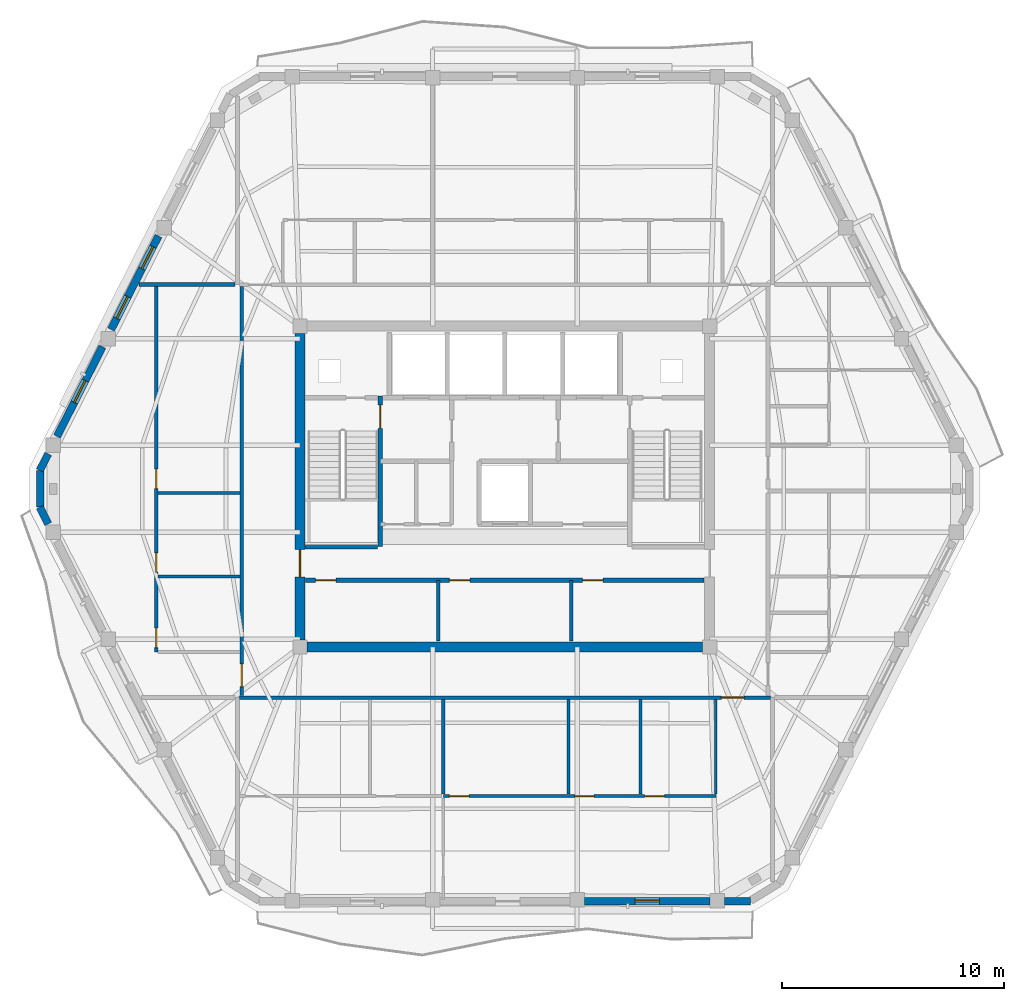
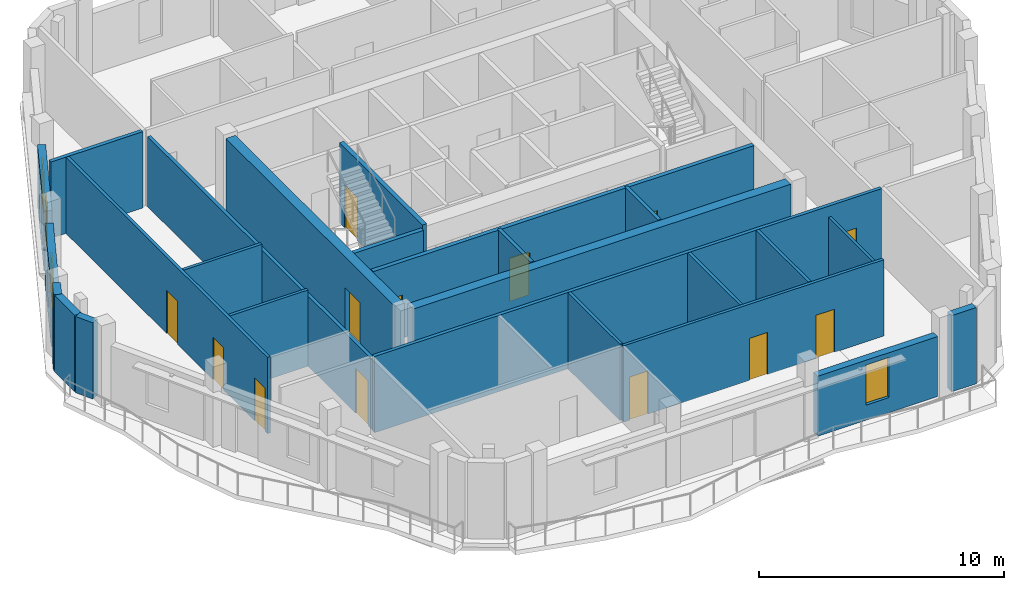
# One storey, part 4 of 10: 25 walls, 13 doors, 4 windows, 17 openings.
"""IFC4 building model written with IfcOpenShell, lengths in metres."""

from ifc_helpers import new_model, si_unit, direction, frame, frame_2d, origin, place, context, subcontext, project, spatial, rectangle, extrude, material, layer, layer_set, type_object, element, fill, save


model = new_model("IFC4")

# Units and contexts
model_context = context("Model", 3, precision=1e-05, world=origin(), true_north=direction((0.0, 1.0)))
body_context = subcontext(model_context, "Body", "Model", "MODEL_VIEW")
ifc_project = project(units=[si_unit("LENGTHUNIT", "METRE"), si_unit("AREAUNIT", "SQUARE_METRE"), si_unit("VOLUMEUNIT", "CUBIC_METRE"), si_unit("PLANEANGLEUNIT", "RADIAN"), si_unit("MASSUNIT", "GRAM", prefix="KILO")], contexts=[model_context])

# Site, building, storey
site_placement = place(None, origin())
site = spatial("IfcSite", under=ifc_project, at=site_placement, CompositionType="ELEMENT")
building_placement = place(site_placement, origin())
building = spatial("IfcBuilding", under=site, at=building_placement, Name="Cinnabar Lancet Tower", CompositionType="ELEMENT")
storey_placement = place(building_placement, frame((0.0, 0.0, 287.5)))
storey = spatial("IfcBuildingStorey", under=building, at=storey_placement, Name="L76", CompositionType="ELEMENT", Elevation=287.5)

# Walls
ifc_material_1 = material(Name="Acoustic twin-stud gypsum partition", Category="gypsum")
ifc_layer_1 = layer(ifc_material_1, 0.159912109375)
ifc_layer_set_1 = layer_set([ifc_layer_1], Name="Acoustic twin-stud gypsum partition")
wall_type_1 = type_object("IfcWallType", Name="ARC-WL-CORR-160", PredefinedType="PARTITIONING", material=ifc_layer_set_1)
for number, where, z_axis, x_axis, name in (
    (1, (29.39990234375, 18.949951171875, 0.0), (0.0, 0.0, 1.0), (0.0, 1.0, 0.0), "CW-SB-2940-L76"),
    (2, (35.39990234375, 18.949951171875, 0.0), (0.0, 0.0, 1.0), (0.0, 1.0, 0.0), "CW-SB-3540-L76"),
):
    element("IfcWall", number, at=place(storey_placement, frame(where, z_axis=z_axis, x_axis=x_axis)), inside=storey, type_object=wall_type_1, Name=name, PredefinedType="PARTITIONING", context=body_context, shape_type="SweptSolid", body=[
        extrude(rectangle(XDim=2.72998046875, YDim=0.159912109375, at=frame_2d((1.364990234375, 0.0))), origin(), (0.0, 0.0, 1.0), 3.800048828125),
    ])

# Wall, opening, door
wall_1_placement = place(storey_placement, frame((20.445068359375, 16.39990234375, 0.0), z_axis=(0.0, 0.0, 1.0), x_axis=(1.0, 0.0, 0.0)))
wall_1 = element("IfcWall", 3, at=wall_1_placement, inside=storey, type_object=wall_type_1, Name="L76 Unit S01 Corridor Wall", PredefinedType="PARTITIONING", context=body_context, shape_type="SweptSolid", body=[
    extrude(rectangle(XDim=23.909912109375, YDim=0.159912109375, at=frame_2d((11.955078125, 0.0))), origin(), (0.0, 0.0, 1.0), 3.800048828125),
])
opening_1_placement = place(wall_1_placement, frame((21.705078125, 0.0, 0.0)))
opening_1 = element("IfcOpeningElement", 4, at=opening_1_placement, cuts=wall_1, Name="Opening UD-01", PredefinedType="OPENING", context=body_context, shape_type="SweptSolid", body=[
    extrude(rectangle(XDim=1.02001953125, YDim=2.25, at=frame_2d((0.510009765625, 1.125))), frame((0.0, 0.08984375, 0.0), z_axis=(0.0, -1.0, 0.0), x_axis=(1.0, 0.0, 0.0)), (0.0, 0.0, 1.0), 0.179931640625),
])
ifc_material_2 = material(Name="Solid timber fire-rated apartment entrance door", Category="wood")
door_type_1 = type_object("IfcDoorType", Name="ARC-DR-UNIT", OperationType="NOTDEFINED", PredefinedType="DOOR", material=ifc_material_2)
door_1_placement = place(opening_1_placement, origin())
door_1 = element("IfcDoor", 5, at=door_1_placement, inside=storey, type_object=door_type_1, Name="DR-L76-S01-ENT", OperationType="SINGLE_SWING_RIGHT", OverallHeight=2.25, OverallWidth=1.02001953125, PredefinedType="DOOR", context=body_context, shape_type="SweptSolid", body=[
    extrude(rectangle(XDim=1.02001953125, YDim=2.25, at=frame_2d((0.510009765625, 1.125))), frame((0.0, 0.02490234375, 0.0), z_axis=(0.0, -1.0, 0.0), x_axis=(1.0, 0.0, 0.0)), (0.0, 0.0, 1.0), 0.050048828125),
])
fill(opening_1, door_1)

wall_2_placement = place(storey_placement, frame((20.550048828125, 16.4951171875, 0.0), z_axis=(0.0, 0.0, 1.0), x_axis=(0.0, 1.0, 0.0)))
wall_2 = element("IfcWall", 6, at=wall_2_placement, inside=storey, type_object=wall_type_1, Name="UW-L76-W01-COR", PredefinedType="PARTITIONING", context=body_context, shape_type="SweptSolid", body=[
    extrude(rectangle(XDim=18.409912109375, YDim=0.159912109375, at=frame_2d((9.205078125, 0.0))), origin(), (0.0, 0.0, 1.0), 3.487060546875),
])
opening_2_placement = place(wall_2_placement, frame((0.39990234375, 0.0, 0.0)))
opening_2 = element("IfcOpeningElement", 7, at=opening_2_placement, cuts=wall_2, Name="Opening UD-01", PredefinedType="OPENING", context=body_context, shape_type="SweptSolid", body=[
    extrude(rectangle(XDim=1.02001953125, YDim=2.25, at=frame_2d((0.510009765625, 1.125))), frame((0.0, 0.08984375, 0.0), z_axis=(0.0, -1.0, 0.0), x_axis=(1.0, 0.0, 0.0)), (0.0, 0.0, 1.0), 0.179931640625),
])
door_2_placement = place(opening_2_placement, origin())
door_2 = element("IfcDoor", 8, at=door_2_placement, inside=storey, type_object=door_type_1, Name="DR-L76-W01-ENT", OperationType="SINGLE_SWING_RIGHT", OverallHeight=2.25, OverallWidth=1.02001953125, PredefinedType="DOOR", context=body_context, shape_type="SweptSolid", body=[
    extrude(rectangle(XDim=1.02001953125, YDim=2.25, at=frame_2d((0.510009765625, 1.125))), frame((0.0, 0.02490234375, 0.0), z_axis=(0.0, -1.0, 0.0), x_axis=(1.0, 0.0, 0.0)), (0.0, 0.0, 1.0), 0.050048828125),
])
fill(opening_2, door_2)

# Walls
ifc_material_3 = material(Name="Fire-rated twin-frame acoustic drywall", Category="gypsum")
ifc_layer_2 = layer(ifc_material_3, 0.179931640625)
ifc_layer_set_2 = layer_set([ifc_layer_2], Name="Fire-rated twin-frame acoustic drywall")
wall_type_2 = type_object("IfcWallType", Name="ARC-WL-PARTY-180", PredefinedType="PARTITIONING", material=ifc_layer_set_2)
wall_3_placement = place(storey_placement, frame((15.93310546875, 35.0, 0.0), z_axis=(0.0, 0.0, 1.0), x_axis=(1.0, 0.0, 0.0)))
element("IfcWall", 9, at=wall_3_placement, inside=storey, type_object=wall_type_2, Name="PW-L76-WNB", PredefinedType="PARTITIONING", context=body_context, shape_type="SweptSolid", body=[
    extrude(rectangle(XDim=4.32177734375, YDim=0.179931640625, at=frame_2d((2.160888671875, 0.0))), origin(), (0.0, 0.0, 1.0), 3.800048828125),
])
ifc_material_4 = material(Name="Autoclaved aerated concrete blockwork", Category="masonry")
ifc_layer_3 = layer(ifc_material_4, 0.199951171875)
ifc_layer_set_3 = layer_set([ifc_layer_3], Name="Autoclaved aerated concrete blockwork")
wall_type_3 = type_object("IfcWallType", Name="ARC-WL-SHAFT-200", PredefinedType="PLUMBINGWALL", material=ifc_layer_set_3)
wall_4_placement = place(storey_placement, frame((23.405029296875, 23.199951171875, 0.0), z_axis=(0.0, 0.0, 1.0), x_axis=(1.0, 0.0, 0.0)))
element("IfcWall", 10, at=wall_4_placement, inside=storey, type_object=wall_type_3, Name="CW-ST1S-L76", PredefinedType="PLUMBINGWALL", context=body_context, shape_type="SweptSolid", body=[
    extrude(rectangle(XDim=3.27001953125, YDim=0.199951171875, at=frame_2d((1.635009765625, 0.0))), origin(), (0.0, 0.0, 1.0), 3.800048828125),
])

# Wall, openings, doors
wall_5_placement = place(storey_placement, frame((23.419921875, 21.679931640625, 0.0), z_axis=(0.0, 0.0, 1.0), x_axis=(1.0, 0.0, 0.0)))
wall_5 = element("IfcWall", 11, at=wall_5_placement, inside=storey, type_object=wall_type_3, Name="CW-SBANDN-L76", PredefinedType="PLUMBINGWALL", context=body_context, shape_type="SweptSolid", body=[
    extrude(rectangle(XDim=17.9599609375, YDim=0.199951171875, at=frame_2d((8.97998046875, 0.0))), origin(), (0.0, 0.0, 1.0), 3.800048828125),
])
opening_3_placement = place(wall_5_placement, frame((0.4599609375, 0.0, 0.0)))
opening_3 = element("IfcOpeningElement", 12, at=opening_3_placement, cuts=wall_5, Name="Opening RD-01", PredefinedType="OPENING", context=body_context, shape_type="SweptSolid", body=[
    extrude(rectangle(XDim=0.919921875, YDim=2.14990234375, at=frame_2d((0.4599609375, 1.074951171875))), frame((0.0, 0.10986328125, 0.0), z_axis=(0.0, -1.0, 0.0), x_axis=(1.0, 0.0, 0.0)), (0.0, 0.0, 1.0), 0.219970703125),
])
opening_4_placement = place(wall_5_placement, frame((6.47998046875, 0.0, 0.0)))
opening_4 = element("IfcOpeningElement", 13, at=opening_4_placement, cuts=wall_5, Name="Opening RD-01", PredefinedType="OPENING", context=body_context, shape_type="SweptSolid", body=[
    extrude(rectangle(XDim=0.919921875, YDim=2.14990234375, at=frame_2d((0.4599609375, 1.074951171875))), frame((0.0, 0.10986328125, 0.0), z_axis=(0.0, -1.0, 0.0), x_axis=(1.0, 0.0, 0.0)), (0.0, 0.0, 1.0), 0.219970703125),
])
opening_5_placement = place(wall_5_placement, frame((12.47998046875, 0.0, 0.0)))
opening_5 = element("IfcOpeningElement", 14, at=opening_5_placement, cuts=wall_5, Name="Opening RD-01", PredefinedType="OPENING", context=body_context, shape_type="SweptSolid", body=[
    extrude(rectangle(XDim=0.919921875, YDim=2.14990234375, at=frame_2d((0.4599609375, 1.074951171875))), frame((0.0, 0.10986328125, 0.0), z_axis=(0.0, -1.0, 0.0), x_axis=(1.0, 0.0, 0.0)), (0.0, 0.0, 1.0), 0.219970703125),
])
ifc_material_5 = material(Name="Engineered timber bedroom door", Category="wood")
door_type_2 = type_object("IfcDoorType", Name="ARC-DR-ROOM", OperationType="NOTDEFINED", PredefinedType="DOOR", material=ifc_material_5)
door_3_placement = place(opening_3_placement, origin())
door_3 = element("IfcDoor", 15, at=door_3_placement, inside=storey, type_object=door_type_2, Name="DR-L76-HREC1", OperationType="SINGLE_SWING_LEFT", OverallHeight=2.14990234375, OverallWidth=0.919921875, PredefinedType="DOOR", context=body_context, shape_type="SweptSolid", body=[
    extrude(rectangle(XDim=0.919921875, YDim=2.14990234375, at=frame_2d((0.4599609375, 1.074951171875))), frame((0.0, 0.02490234375, 0.0), z_axis=(0.0, -1.0, 0.0), x_axis=(1.0, 0.0, 0.0)), (0.0, 0.0, 1.0), 0.050048828125),
])
fill(opening_3, door_3)
door_4_placement = place(opening_4_placement, origin())
door_4 = element("IfcDoor", 16, at=door_4_placement, inside=storey, type_object=door_type_2, Name="DR-L76-HREC2", OperationType="SINGLE_SWING_RIGHT", OverallHeight=2.14990234375, OverallWidth=0.919921875, PredefinedType="DOOR", context=body_context, shape_type="SweptSolid", body=[
    extrude(rectangle(XDim=0.919921875, YDim=2.14990234375, at=frame_2d((0.4599609375, 1.074951171875))), frame((0.0, 0.02490234375, 0.0), z_axis=(0.0, -1.0, 0.0), x_axis=(1.0, 0.0, 0.0)), (0.0, 0.0, 1.0), 0.050048828125),
])
fill(opening_4, door_4)
door_5_placement = place(opening_5_placement, origin())
door_5 = element("IfcDoor", 17, at=door_5_placement, inside=storey, type_object=door_type_2, Name="DR-L76-HREC3", OperationType="SINGLE_SWING_LEFT", OverallHeight=2.14990234375, OverallWidth=0.919921875, PredefinedType="DOOR", context=body_context, shape_type="SweptSolid", body=[
    extrude(rectangle(XDim=0.919921875, YDim=2.14990234375, at=frame_2d((0.4599609375, 1.074951171875))), frame((0.0, 0.02490234375, 0.0), z_axis=(0.0, -1.0, 0.0), x_axis=(1.0, 0.0, 0.0)), (0.0, 0.0, 1.0), 0.050048828125),
])
fill(opening_5, door_5)

# Wall
ifc_material_6 = material(Name="Gypsum plasterboard stud partition", Category="gypsum")
ifc_layer_4 = layer(ifc_material_6, 0.125)
ifc_layer_set_4 = layer_set([ifc_layer_4], Name="Gypsum plasterboard stud partition")
wall_type_4 = type_object("IfcWallType", Name="ARC-WL-UNIT-125", PredefinedType="PARTITIONING", material=ifc_layer_set_4)
wall_6_placement = place(storey_placement, frame((41.89990234375, 12.06689453125, 0.0), z_axis=(0.0, 0.0, 1.0), x_axis=(0.0, 1.0, 0.0)))
element("IfcWall", 18, at=wall_6_placement, inside=storey, type_object=wall_type_4, Name="UW-L76-S01-FOYW", PredefinedType="PARTITIONING", context=body_context, shape_type="SweptSolid", body=[
    extrude(rectangle(XDim=4.248046875, YDim=0.125, at=frame_2d((2.1240234375, 0.0))), origin(), (0.0, 0.0, 1.0), 3.257080078125),
])

# Wall, openings, doors
ifc_material_7 = material(Name="Moisture-resistant cement-board plumbing wall", Category="masonry")
ifc_layer_5 = layer(ifc_material_7, 0.139892578125)
ifc_layer_set_5 = layer_set([ifc_layer_5], Name="Moisture-resistant cement-board plumbing wall")
wall_type_5 = type_object("IfcWallType", Name="ARC-WL-WET-140", PredefinedType="PLUMBINGWALL", material=ifc_layer_set_5)
wall_7_placement = place(storey_placement, frame((29.6259765625, 11.9619140625, 0.0), z_axis=(0.0, 0.0, 1.0), x_axis=(1.0, 0.0, 0.0)))
wall_7 = element("IfcWall", 19, at=wall_7_placement, inside=storey, type_object=wall_type_5, Name="UW-L76-S01-SPL", PredefinedType="PLUMBINGWALL", context=body_context, shape_type="SweptSolid", body=[
    extrude(rectangle(XDim=12.27392578125, YDim=0.139892578125, at=frame_2d((6.136962890625, 0.0))), origin(), (0.0, 0.0, 1.0), 3.800048828125),
])
opening_6_placement = place(wall_7_placement, frame((0.280029296875, 0.0, 0.0)))
opening_6 = element("IfcOpeningElement", 20, at=opening_6_placement, cuts=wall_7, Name="Opening RD-02", PredefinedType="OPENING", context=body_context, shape_type="SweptSolid", body=[
    extrude(rectangle(XDim=0.8798828125, YDim=2.14990234375, at=frame_2d((0.43994140625, 1.074951171875))), frame((0.0, 0.079833984375, 0.0), z_axis=(0.0, -1.0, 0.0), x_axis=(1.0, 0.0, 0.0)), (0.0, 0.0, 1.0), 0.159912109375),
])
opening_7_placement = place(wall_7_placement, frame((5.927978515625, 0.0, 0.0)))
opening_7 = element("IfcOpeningElement", 21, at=opening_7_placement, cuts=wall_7, Name="Opening BD-01", PredefinedType="OPENING", context=body_context, shape_type="SweptSolid", body=[
    extrude(rectangle(XDim=0.860107421875, YDim=2.10009765625, at=frame_2d((0.43017578125, 1.050048828125))), frame((0.0, 0.079833984375, 0.0), z_axis=(0.0, -1.0, 0.0), x_axis=(1.0, 0.0, 0.0)), (0.0, 0.0, 1.0), 0.159912109375),
])
opening_8_placement = place(wall_7_placement, frame((9.073974609375, 0.0, 0.0)))
opening_8 = element("IfcOpeningElement", 22, at=opening_8_placement, cuts=wall_7, Name="Opening RD-02", PredefinedType="OPENING", context=body_context, shape_type="SweptSolid", body=[
    extrude(rectangle(XDim=0.8798828125, YDim=2.14990234375, at=frame_2d((0.43994140625, 1.074951171875))), frame((0.0, 0.079833984375, 0.0), z_axis=(0.0, -1.0, 0.0), x_axis=(1.0, 0.0, 0.0)), (0.0, 0.0, 1.0), 0.159912109375),
])
ifc_material_8 = material(Name="Moisture-resistant timber bathroom door", Category="wood")
door_type_3 = type_object("IfcDoorType", Name="ARC-DR-BATH", OperationType="NOTDEFINED", PredefinedType="DOOR", material=ifc_material_8)
door_6_placement = place(opening_7_placement, origin())
door_6 = element("IfcDoor", 23, at=door_6_placement, inside=storey, type_object=door_type_3, Name="DR-L76-S01-BTH", OperationType="SINGLE_SWING_RIGHT", OverallHeight=2.10009765625, OverallWidth=0.860107421875, PredefinedType="DOOR", context=body_context, shape_type="SweptSolid", body=[
    extrude(rectangle(XDim=0.860107421875, YDim=2.10009765625, at=frame_2d((0.43017578125, 1.050048828125))), frame((0.0, 0.02490234375, 0.0), z_axis=(0.0, -1.0, 0.0), x_axis=(1.0, 0.0, 0.0)), (0.0, 0.0, 1.0), 0.050048828125),
])
fill(opening_7, door_6)
ifc_material_9 = material(Name="Engineered timber study door", Category="wood")
door_type_4 = type_object("IfcDoorType", Name="ARC-DR-STUDY", OperationType="NOTDEFINED", PredefinedType="DOOR", material=ifc_material_9)
door_7_placement = place(opening_6_placement, origin())
door_7 = element("IfcDoor", 24, at=door_7_placement, inside=storey, type_object=door_type_4, Name="DR-L76-S01-BTH-WDR", OperationType="SINGLE_SWING_LEFT", OverallHeight=2.14990234375, OverallWidth=0.8798828125, PredefinedType="DOOR", context=body_context, shape_type="SweptSolid", body=[
    extrude(rectangle(XDim=0.8798828125, YDim=2.14990234375, at=frame_2d((0.43994140625, 1.074951171875))), frame((0.0, 0.02490234375, 0.0), z_axis=(0.0, -1.0, 0.0), x_axis=(1.0, 0.0, 0.0)), (0.0, 0.0, 1.0), 0.050048828125),
])
fill(opening_6, door_7)
door_8_placement = place(opening_8_placement, origin())
door_8 = element("IfcDoor", 25, at=door_8_placement, inside=storey, type_object=door_type_4, Name="DR-L76-S01-KIT", OperationType="SINGLE_SWING_RIGHT", OverallHeight=2.14990234375, OverallWidth=0.8798828125, PredefinedType="DOOR", context=body_context, shape_type="SweptSolid", body=[
    extrude(rectangle(XDim=0.8798828125, YDim=2.14990234375, at=frame_2d((0.43994140625, 1.074951171875))), frame((0.0, 0.02490234375, 0.0), z_axis=(0.0, -1.0, 0.0), x_axis=(1.0, 0.0, 0.0)), (0.0, 0.0, 1.0), 0.050048828125),
])
fill(opening_8, door_8)

# Walls
for number, where, z_axis, x_axis, name in (
    (26, (38.5, 12.06689453125, 0.0), (0.0, 0.0, 1.0), (0.0, 1.0, 0.0), "UW-L76-S01-KBD"),
    (27, (29.6259765625, 12.06689453125, 0.0), (0.0, 0.0, 1.0), (0.0, 1.0, 0.0), "UW-L76-S01-ENSW"),
):
    element("IfcWall", number, at=place(storey_placement, frame(where, z_axis=z_axis, x_axis=x_axis)), inside=storey, type_object=wall_type_5, Name=name, PredefinedType="PLUMBINGWALL", context=body_context, shape_type="SweptSolid", body=[
        extrude(rectangle(XDim=4.248046875, YDim=0.139892578125, at=frame_2d((2.1240234375, 0.0))), origin(), (0.0, 0.0, 1.0), 3.800048828125),
    ])
wall_8_placement = place(storey_placement, frame((35.27392578125, 12.047119140625, 0.0), z_axis=(0.0, 0.0, 1.0), x_axis=(0.0, 1.0, 0.0)))
element("IfcWall", 28, at=wall_8_placement, inside=storey, type_object=wall_type_5, Name="UW-L76-S01-BTH-WDV", PredefinedType="PLUMBINGWALL", context=body_context, shape_type="SweptSolid", body=[
    extrude(rectangle(XDim=4.267822265625, YDim=0.139892578125, at=frame_2d((2.1337890625, 0.0))), origin(), (0.0, 0.0, 1.0), 3.800048828125),
])

# Wall, openings, doors
wall_9_placement = place(storey_placement, frame((16.699951171875, 18.449951171875, 0.0), z_axis=(0.0, 0.0, 1.0), x_axis=(0.0, 1.0, 0.0)))
wall_9 = element("IfcWall", 29, at=wall_9_placement, inside=storey, type_object=wall_type_5, Name="UW-L76-W01-SPL", PredefinedType="PLUMBINGWALL", context=body_context, shape_type="SweptSolid", body=[
    extrude(rectangle(XDim=16.455078125, YDim=0.139892578125, at=frame_2d((8.2275390625, 0.0))), origin(), (0.0, 0.0, 1.0), 3.800048828125),
])
opening_9_placement = place(wall_9_placement, frame((3.60009765625, 0.0, 0.0)))
opening_9 = element("IfcOpeningElement", 30, at=opening_9_placement, cuts=wall_9, Name="Opening BD-01", PredefinedType="OPENING", context=body_context, shape_type="SweptSolid", body=[
    extrude(rectangle(XDim=0.860107421875, YDim=2.10009765625, at=frame_2d((0.43017578125, 1.050048828125))), frame((0.0, 0.079833984375, 0.0), z_axis=(0.0, -1.0, 0.0), x_axis=(1.0, 0.0, 0.0)), (0.0, 0.0, 1.0), 0.159912109375),
])
opening_10_placement = place(wall_9_placement, frame((7.360107421875, 0.0, 0.0)))
opening_10 = element("IfcOpeningElement", 31, at=opening_10_placement, cuts=wall_9, Name="Opening RD-02", PredefinedType="OPENING", context=body_context, shape_type="SweptSolid", body=[
    extrude(rectangle(XDim=0.8798828125, YDim=2.14990234375, at=frame_2d((0.43994140625, 1.074951171875))), frame((0.0, 0.079833984375, 0.0), z_axis=(0.0, -1.0, 0.0), x_axis=(1.0, 0.0, 0.0)), (0.0, 0.0, 1.0), 0.159912109375),
])
opening_11_placement = place(wall_9_placement, frame((0.199951171875, 0.0, 0.0)))
opening_11 = element("IfcOpeningElement", 32, at=opening_11_placement, cuts=wall_9, Name="Opening RD-02", PredefinedType="OPENING", context=body_context, shape_type="SweptSolid", body=[
    extrude(rectangle(XDim=0.8798828125, YDim=2.14990234375, at=frame_2d((0.43994140625, 1.074951171875))), frame((0.0, 0.079833984375, 0.0), z_axis=(0.0, -1.0, 0.0), x_axis=(1.0, 0.0, 0.0)), (0.0, 0.0, 1.0), 0.159912109375),
])
door_9_placement = place(opening_9_placement, origin())
door_9 = element("IfcDoor", 33, at=door_9_placement, inside=storey, type_object=door_type_3, Name="DR-L76-W01-BTH", OperationType="SINGLE_SWING_RIGHT", OverallHeight=2.10009765625, OverallWidth=0.860107421875, PredefinedType="DOOR", context=body_context, shape_type="SweptSolid", body=[
    extrude(rectangle(XDim=0.860107421875, YDim=2.10009765625, at=frame_2d((0.43017578125, 1.050048828125))), frame((0.0, 0.02490234375, 0.0), z_axis=(0.0, -1.0, 0.0), x_axis=(1.0, 0.0, 0.0)), (0.0, 0.0, 1.0), 0.050048828125),
])
fill(opening_9, door_9)
door_10_placement = place(opening_10_placement, origin())
door_10 = element("IfcDoor", 34, at=door_10_placement, inside=storey, type_object=door_type_4, Name="DR-L76-W01-WDR", OperationType="SINGLE_SWING_LEFT", OverallHeight=2.14990234375, OverallWidth=0.8798828125, PredefinedType="DOOR", context=body_context, shape_type="SweptSolid", body=[
    extrude(rectangle(XDim=0.8798828125, YDim=2.14990234375, at=frame_2d((0.43994140625, 1.074951171875))), frame((0.0, 0.02490234375, 0.0), z_axis=(0.0, -1.0, 0.0), x_axis=(1.0, 0.0, 0.0)), (0.0, 0.0, 1.0), 0.050048828125),
])
fill(opening_10, door_10)
door_11_placement = place(opening_11_placement, origin())
door_11 = element("IfcDoor", 35, at=door_11_placement, inside=storey, type_object=door_type_4, Name="DR-L76-W01-KIT", OperationType="SINGLE_SWING_LEFT", OverallHeight=2.14990234375, OverallWidth=0.8798828125, PredefinedType="DOOR", context=body_context, shape_type="SweptSolid", body=[
    extrude(rectangle(XDim=0.8798828125, YDim=2.14990234375, at=frame_2d((0.43994140625, 1.074951171875))), frame((0.0, 0.02490234375, 0.0), z_axis=(0.0, -1.0, 0.0), x_axis=(1.0, 0.0, 0.0)), (0.0, 0.0, 1.0), 0.050048828125),
])
fill(opening_11, door_11)

# Walls
for number, where, z_axis, x_axis, name in (
    (36, (16.784912109375, 21.85009765625, 0.0), (0.0, 0.0, 1.0), (1.0, 0.0, 0.0), "UW-L76-W01-KDV"),
    (37, (16.784912109375, 25.610107421875, 0.0), (0.0, 0.0, 1.0), (1.0, 0.0, 0.0), "UW-L76-W01-BWDV"),
):
    element("IfcWall", number, at=place(storey_placement, frame(where, z_axis=z_axis, x_axis=x_axis)), inside=storey, type_object=wall_type_5, Name=name, PredefinedType="PLUMBINGWALL", context=body_context, shape_type="SweptSolid", body=[
        extrude(rectangle(XDim=3.68017578125, YDim=0.139892578125, at=frame_2d((1.840087890625, 0.0))), origin(), (0.0, 0.0, 1.0), 3.800048828125),
    ])
ifc_material_10 = material(Name="Cinnabar red clay brick", Category="masonry")
ifc_layer_6 = layer(ifc_material_10, 0.340087890625)
ifc_layer_set_6 = layer_set([ifc_layer_6], Name="Cinnabar red clay brick")
wall_type_6 = type_object("IfcWallType", Name="ENV-WL-BRK-RED-340", PredefinedType="STANDARD", material=ifc_layer_set_6)
wall_10_placement = place(storey_placement, frame((11.47705078125, 26.6201171875, 0.0), z_axis=(0.0, 0.0, 1.0), x_axis=(0.0, -1.0, 0.0)))
element("IfcWall", 38, at=wall_10_placement, inside=storey, type_object=wall_type_6, Name="L76 Chamfered Corner Brick Pier 6.1", PredefinedType="STANDARD", context=body_context, shape_type="SweptSolid", body=[
    extrude(rectangle(XDim=1.64013671875, YDim=0.340087890625, at=frame_2d((0.820068359375, 0.0))), origin(), (0.0, 0.0, 1.0), 3.800048828125),
])

# Wall, opening, window
wall_11_placement = place(storey_placement, frame((35.98291015625, 7.22998046875, 0.0), z_axis=(0.0, 0.0, 1.0), x_axis=(1.0, 0.0, 0.0)))
wall_11 = element("IfcWall", 39, at=wall_11_placement, inside=storey, type_object=wall_type_6, Name="L76 Face 1 Masonry Bay Wall 4", PredefinedType="STANDARD", context=body_context, shape_type="SweptSolid", body=[
    extrude(rectangle(XDim=5.66015625, YDim=0.340087890625, at=frame_2d((2.830078125, 0.0))), origin(), (0.0, 0.0, 1.0), 2.989990234375),
])
opening_12_placement = place(wall_11_placement, frame((2.280029296875, 0.0, 0.75)))
opening_12 = element("IfcOpeningElement", 40, at=opening_12_placement, cuts=wall_11, Name="Opening WN-04", PredefinedType="OPENING", context=body_context, shape_type="SweptSolid", body=[
    extrude(rectangle(XDim=1.10009765625, YDim=2.0, at=frame_2d((0.550048828125, 1.0))), frame((0.0, 0.179931640625, 0.0), z_axis=(0.0, -1.0, 0.0), x_axis=(1.0, 0.0, 0.0)), (0.0, 0.0, 1.0), 0.360107421875),
])
ifc_material_11 = material(Name="Thermally broken bronze-anodized aluminium tall lancet window", Category="aluminium")
window_type = type_object("IfcWindowType", Name="ENV-WN-LANCET-1100", PartitioningType="SINGLE_PANEL", PredefinedType="WINDOW", material=ifc_material_11)
window_1_placement = place(opening_12_placement, origin())
window_1 = element("IfcWindow", 41, at=window_1_placement, inside=storey, type_object=window_type, Name="L76 Face 1 Gothic Lancet Window 4", OverallHeight=2.0, OverallWidth=1.10009765625, PartitioningType="SINGLE_PANEL", PredefinedType="WINDOW", context=body_context, shape_type="SweptSolid", body=[
    extrude(rectangle(XDim=1.10009765625, YDim=2.0, at=frame_2d((0.550048828125, 1.0))), frame((0.0, 0.030029296875, 0.0), z_axis=(0.0, -1.0, 0.0), x_axis=(1.0, 0.0, 0.0)), (0.0, 0.0, 1.0), 0.06005859375),
])
fill(opening_12, window_1)

# Wall
wall_12_placement = place(storey_placement, frame((42.301025390625, 7.22998046875, 0.0), z_axis=(0.0, 0.0, 1.0), x_axis=(1.0, 0.0, 0.0)))
element("IfcWall", 42, at=wall_12_placement, inside=storey, type_object=wall_type_6, Name="L76 Face 1 Masonry Bay Wall 5", PredefinedType="STANDARD", context=body_context, shape_type="SweptSolid", body=[
    extrude(rectangle(XDim=1.173095703125, YDim=0.340087890625, at=frame_2d((0.58642578125, 0.0))), origin(), (0.0, 0.0, 1.0), 3.800048828125),
])

# Wall, openings, windows
wall_13_placement = place(storey_placement, frame((16.798095703125, 37.18701171875, 0.0), z_axis=(0.0, 0.0, 1.0), x_axis=(-0.451447516904, -0.892297674255, 0.0)))
wall_13 = element("IfcWall", 43, at=wall_13_placement, inside=storey, type_object=wall_type_6, Name="L76 Face 5 Masonry Bay Wall 3", PredefinedType="STANDARD", context=body_context, shape_type="SweptSolid", body=[
    extrude(rectangle(XDim=4.72265625, YDim=0.340087890625, at=frame_2d((2.361328125, 0.0))), origin(), (0.0, 0.0, 1.0), 2.989990234375),
])
opening_13_placement = place(wall_13_placement, frame((0.5458984375, 0.0, 0.75)))
opening_13 = element("IfcOpeningElement", 44, at=opening_13_placement, cuts=wall_13, Name="Opening WN-04", PredefinedType="OPENING", context=body_context, shape_type="SweptSolid", body=[
    extrude(rectangle(XDim=1.10009765625, YDim=2.0, at=frame_2d((0.550048828125, 1.0))), frame((0.0, 0.179931640625, 0.0), z_axis=(0.0, -1.0, 0.0), x_axis=(1.0, 0.0, 0.0)), (0.0, 0.0, 1.0), 0.360107421875),
])
opening_14_placement = place(wall_13_placement, frame((3.05810546875, 0.0, 0.75)))
opening_14 = element("IfcOpeningElement", 45, at=opening_14_placement, cuts=wall_13, Name="Opening WN-04", PredefinedType="OPENING", context=body_context, shape_type="SweptSolid", body=[
    extrude(rectangle(XDim=1.10009765625, YDim=2.0, at=frame_2d((0.550048828125, 1.0))), frame((0.0, 0.179931640625, 0.0), z_axis=(0.0, -1.0, 0.0), x_axis=(1.0, 0.0, 0.0)), (0.0, 0.0, 1.0), 0.360107421875),
])
window_2_placement = place(opening_13_placement, origin())
window_2 = element("IfcWindow", 46, at=window_2_placement, inside=storey, type_object=window_type, Name="L76 Face 5 Gothic Lancet Window 3", OverallHeight=2.0, OverallWidth=1.10009765625, PartitioningType="SINGLE_PANEL", PredefinedType="WINDOW", context=body_context, shape_type="SweptSolid", body=[
    extrude(rectangle(XDim=1.10009765625, YDim=2.0, at=frame_2d((0.550048828125, 1.0))), frame((0.0, 0.030029296875, 0.0), z_axis=(0.0, -1.0, 0.0), x_axis=(1.0, 0.0, 0.0)), (0.0, 0.0, 1.0), 0.06005859375),
])
fill(opening_13, window_2)
window_3_placement = place(opening_14_placement, origin())
window_3 = element("IfcWindow", 47, at=window_3_placement, inside=storey, type_object=window_type, Name="L76 Split-Bay Gothic Lancet Window 286", OverallHeight=2.0, OverallWidth=1.10009765625, PartitioningType="SINGLE_PANEL", PredefinedType="WINDOW", context=body_context, shape_type="SweptSolid", body=[
    extrude(rectangle(XDim=1.10009765625, YDim=2.0, at=frame_2d((0.550048828125, 1.0))), frame((0.0, 0.030029296875, 0.0), z_axis=(0.0, -1.0, 0.0), x_axis=(1.0, 0.0, 0.0)), (0.0, 0.0, 1.0), 0.06005859375),
])
fill(opening_14, window_3)

# Wall, opening, window
wall_14_placement = place(storey_placement, frame((14.277099609375, 32.202880859375, 0.0), z_axis=(0.0, 0.0, 1.0), x_axis=(-0.45147697324, -0.892282770558, 0.0)))
wall_14 = element("IfcWall", 48, at=wall_14_placement, inside=storey, type_object=wall_type_6, Name="L76 Face 5 Masonry Bay Wall 4", PredefinedType="STANDARD", context=body_context, shape_type="SweptSolid", body=[
    extrude(rectangle(XDim=4.530029296875, YDim=0.340087890625, at=frame_2d((2.26513671875, 0.0))), origin(), (0.0, 0.0, 1.0), 2.989990234375),
])
opening_15_placement = place(wall_14_placement, frame((1.715087890625, 0.0, 0.75)))
opening_15 = element("IfcOpeningElement", 49, at=opening_15_placement, cuts=wall_14, Name="Opening WN-04", PredefinedType="OPENING", context=body_context, shape_type="SweptSolid", body=[
    extrude(rectangle(XDim=1.10009765625, YDim=2.0, at=frame_2d((0.550048828125, 1.0))), frame((0.0, 0.179931640625, 0.0), z_axis=(0.0, -1.0, 0.0), x_axis=(1.0, 0.0, 0.0)), (0.0, 0.0, 1.0), 0.360107421875),
])
window_4_placement = place(opening_15_placement, origin())
window_4 = element("IfcWindow", 50, at=window_4_placement, inside=storey, type_object=window_type, Name="L76 Face 5 Gothic Lancet Window 4", OverallHeight=2.0, OverallWidth=1.10009765625, PartitioningType="SINGLE_PANEL", PredefinedType="WINDOW", context=body_context, shape_type="SweptSolid", body=[
    extrude(rectangle(XDim=1.10009765625, YDim=2.0, at=frame_2d((0.550048828125, 1.0))), frame((0.0, 0.030029296875, 0.0), z_axis=(0.0, -1.0, 0.0), x_axis=(1.0, 0.0, 0.0)), (0.0, 0.0, 1.0), 0.06005859375),
])
fill(opening_15, window_4)

# Walls
wall_15_placement = place(storey_placement, frame((11.8349609375, 27.3759765625, 0.0), z_axis=(0.0, 0.0, 1.0), x_axis=(-0.45139691133, -0.892323275748, 0.0)))
element("IfcWall", 51, at=wall_15_placement, inside=storey, type_object=wall_type_6, Name="L76 Face 5 Masonry Bay Wall 5", PredefinedType="STANDARD", context=body_context, shape_type="SweptSolid", body=[
    extrude(rectangle(XDim=0.83935546875, YDim=0.340087890625, at=frame_2d((0.419677734375, 0.0))), origin(), (0.0, 0.0, 1.0), 3.800048828125),
])
wall_16_placement = place(storey_placement, frame((11.4560546875, 24.972900390625, 0.0), z_axis=(0.0, 0.0, 1.0), x_axis=(0.4515140893, -0.892263989615, 0.0)))
element("IfcWall", 52, at=wall_16_placement, inside=storey, type_object=wall_type_6, Name="L76 Face 6 Masonry Bay Wall 1", PredefinedType="STANDARD", context=body_context, shape_type="SweptSolid", body=[
    extrude(rectangle(XDim=0.839111328125, YDim=0.340087890625, at=frame_2d((0.41943359375, 0.0))), origin(), (0.0, 0.0, 1.0), 3.800048828125),
])
ifc_material_12 = material(Name="Concrete C50/60", Category="concrete")
ifc_layer_7 = layer(ifc_material_12, 0.449951171875)
ifc_layer_set_7 = layer_set([ifc_layer_7], Name="Concrete C50/60")
wall_type_7 = type_object("IfcWallType", Name="STR-WL-CORE-450", PredefinedType="SHEAR", material=ifc_layer_set_7)
wall_17_placement = place(storey_placement, frame((23.5, 18.675048828125, 0.0), z_axis=(0.0, 0.0, 1.0), x_axis=(1.0, 0.0, 0.0)))
element("IfcWall", 53, at=wall_17_placement, inside=storey, type_object=wall_type_7, Name="L76 Core Shear Wall S", PredefinedType="SHEAR", context=body_context, shape_type="SweptSolid", body=[
    extrude(rectangle(XDim=17.800048828125, YDim=0.449951171875, at=frame_2d((8.89990234375, 0.0))), origin(), (0.0, 0.0, 1.0), 3.800048828125),
])

# Wall, opening, door
wall_18_placement = place(storey_placement, frame((23.175048828125, 19.0, 0.0), z_axis=(0.0, 0.0, 1.0), x_axis=(0.0, 1.0, 0.0)))
wall_18 = element("IfcWall", 54, at=wall_18_placement, inside=storey, type_object=wall_type_7, Name="L76 Core Shear Wall W", PredefinedType="SHEAR", context=body_context, shape_type="SweptSolid", body=[
    extrude(rectangle(XDim=13.800048828125, YDim=0.449951171875, at=frame_2d((6.89990234375, 0.0))), origin(), (0.0, 0.0, 1.0), 3.800048828125),
])
opening_16_placement = place(wall_18_placement, frame((2.840087890625, 0.0, 0.0)))
opening_16 = element("IfcOpeningElement", 55, at=opening_16_placement, cuts=wall_18, Name="Opening FD-02", PredefinedType="OPENING", context=body_context, shape_type="SweptSolid", body=[
    extrude(rectangle(XDim=1.219970703125, YDim=2.25, at=frame_2d((0.60986328125, 1.125))), frame((0.0, 0.23486328125, 0.0), z_axis=(0.0, -1.0, 0.0), x_axis=(1.0, 0.0, 0.0)), (0.0, 0.0, 1.0), 0.469970703125),
])
ifc_material_13 = material(Name="Fire-rated double-vision core portal door", Category="wood")
door_type_5 = type_object("IfcDoorType", Name="ARC-DR-CPORT", OperationType="NOTDEFINED", PredefinedType="DOOR", material=ifc_material_13)
door_12_placement = place(opening_16_placement, origin())
door_12 = element("IfcDoor", 56, at=door_12_placement, inside=storey, type_object=door_type_5, Name="L76 West Core Lobby Fire Door", OperationType="SINGLE_SWING_RIGHT", OverallHeight=2.25, OverallWidth=1.219970703125, PredefinedType="DOOR", context=body_context, shape_type="SweptSolid", body=[
    extrude(rectangle(XDim=1.219970703125, YDim=2.25, at=frame_2d((0.60986328125, 1.125))), frame((0.0, 0.02490234375, 0.0), z_axis=(0.0, -1.0, 0.0), x_axis=(1.0, 0.0, 0.0)), (0.0, 0.0, 1.0), 0.050048828125),
])
fill(opening_16, door_12)

ifc_material_14 = material(Name="Concrete C50/60", Category="concrete")
ifc_layer_8 = layer(ifc_material_14, 0.199951171875)
ifc_layer_set_8 = layer_set([ifc_layer_8], Name="Concrete C50/60")
wall_type_8 = type_object("IfcWallType", Name="STR-WL-STAIR-200", PredefinedType="SHEAR", material=ifc_layer_set_8)
wall_19_placement = place(storey_placement, frame((26.780029296875, 23.199951171875, 0.0), z_axis=(0.0, 0.0, 1.0), x_axis=(0.0, 1.0, 0.0)))
wall_19 = element("IfcWall", 57, at=wall_19_placement, inside=storey, type_object=wall_type_8, Name="L76 Stair ST-1 Structural Enclosure Wall", PredefinedType="SHEAR", context=body_context, shape_type="SweptSolid", body=[
    extrude(rectangle(XDim=6.780029296875, YDim=0.199951171875, at=frame_2d((3.39013671875, 0.0))), origin(), (0.0, 0.0, 1.0), 4.0),
])
opening_17_placement = place(wall_19_placement, frame((5.320068359375, 0.0, 0.0)))
opening_17 = element("IfcOpeningElement", 58, at=opening_17_placement, cuts=wall_19, Name="Opening SD-01", PredefinedType="OPENING", context=body_context, shape_type="SweptSolid", body=[
    extrude(rectangle(XDim=1.050048828125, YDim=2.14990234375, at=frame_2d((0.52490234375, 1.074951171875))), frame((0.0, 0.10986328125, 0.0), z_axis=(0.0, -1.0, 0.0), x_axis=(1.0, 0.0, 0.0)), (0.0, 0.0, 1.0), 0.219970703125),
])
ifc_material_15 = material(Name="Fire-rated steel stair exit door", Category="steel")
door_type_6 = type_object("IfcDoorType", Name="ARC-DR-STAIR", OperationType="NOTDEFINED", PredefinedType="DOOR", material=ifc_material_15)
door_13_placement = place(opening_17_placement, origin())
door_13 = element("IfcDoor", 59, at=door_13_placement, inside=storey, type_object=door_type_6, Name="L76 Stair ST-1 Fire Door", OperationType="SINGLE_SWING_LEFT", OverallHeight=2.14990234375, OverallWidth=1.050048828125, PredefinedType="DOOR", context=body_context, shape_type="SweptSolid", body=[
    extrude(rectangle(XDim=1.050048828125, YDim=2.14990234375, at=frame_2d((0.52490234375, 1.074951171875))), frame((0.0, 0.02490234375, 0.0), z_axis=(0.0, -1.0, 0.0), x_axis=(1.0, 0.0, 0.0)), (0.0, 0.0, 1.0), 0.050048828125),
])
fill(opening_17, door_13)

save(model, "model.ifc")
